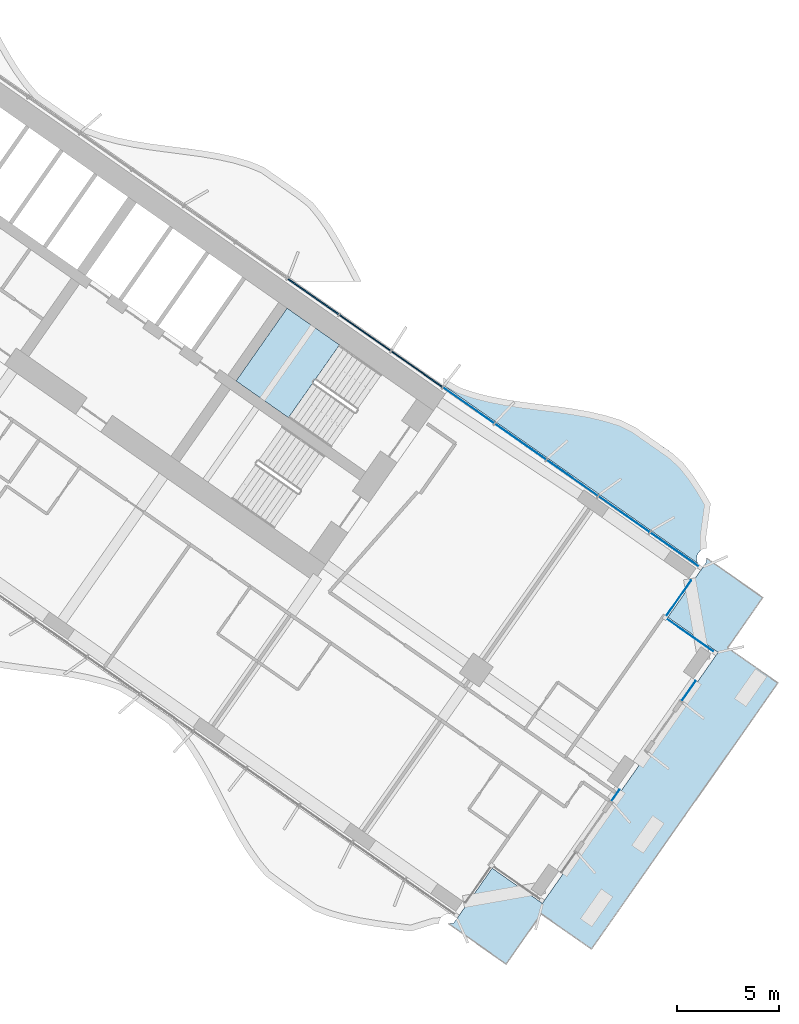
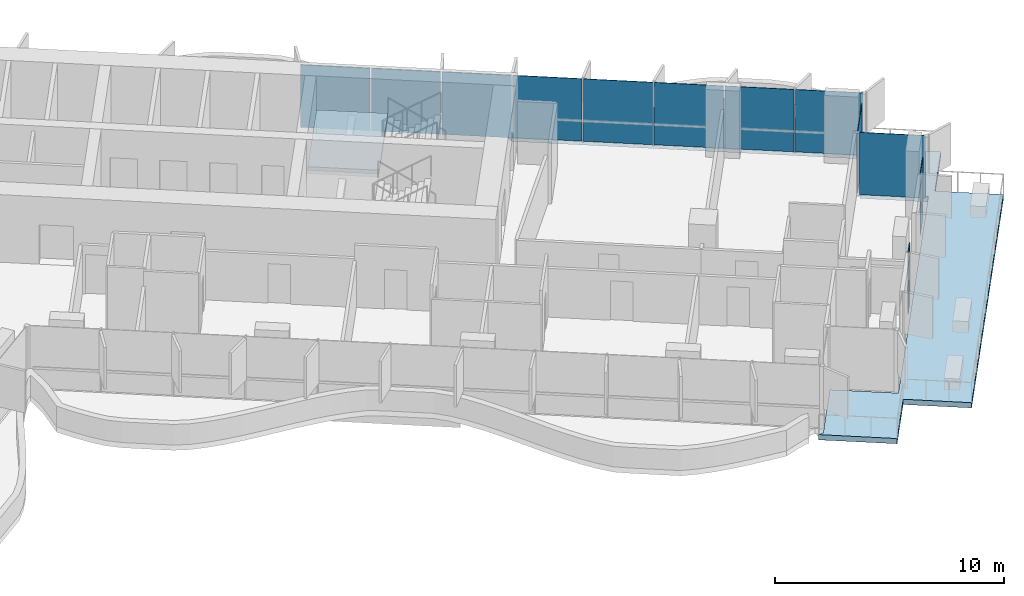
# One storey, part 12 of 25: 12 plates, 3 slabs, 4 elements without a shape of their own.
"""IFC4 building model written with IfcOpenShell, lengths in metres."""

from ifc_helpers import new_model, si_unit, direction, frame, origin, origin_2d, place, context, subcontext, project, spatial, polyline, rectangle, outline, extrude, material, layer, layer_set, type_object, element, aggregate, save


model = new_model("IFC4")

# Units and contexts
model_context = context("Model", 3, precision=1e-05, world=origin(), true_north=direction((0.0, 1.0)))
body_context = subcontext(model_context, "Body", "Model", "MODEL_VIEW")
ifc_project = project(units=[si_unit("LENGTHUNIT", "METRE"), si_unit("AREAUNIT", "SQUARE_METRE"), si_unit("VOLUMEUNIT", "CUBIC_METRE"), si_unit("PLANEANGLEUNIT", "RADIAN"), si_unit("MASSUNIT", "GRAM", prefix="KILO")], contexts=[model_context])

# Site, building, storey
site_placement = place(None, origin())
site = spatial("IfcSite", under=ifc_project, at=site_placement, CompositionType="ELEMENT")
building_placement = place(site_placement, origin())
building = spatial("IfcBuilding", under=site, at=building_placement, Name="Tel Ilan Convention Tower", CompositionType="ELEMENT")
storey_placement = place(building_placement, frame((0.0, 0.0, 76.10009765625)))
storey = spatial("IfcBuildingStorey", under=building, at=storey_placement, Name="L14", CompositionType="ELEMENT", Elevation=76.10009765625)

# Curtain wall, plate
ifc_material_1 = material(Name="Aluminium, bronze anodised", Category="aluminium")
curtain_wall_type_1 = type_object("IfcCurtainWallType", Name="CW1 UNITISED CURTAIN WALL, HOTEL TINTED GLASS", PredefinedType="NOTDEFINED", material=ifc_material_1)
curtain_wall_1_placement = place(storey_placement, origin())
curtain_wall_1 = element("IfcCurtainWall", 1, at=curtain_wall_1_placement, inside=storey, type_object=curtain_wall_type_1, Name="Curtain wall CW1-14.02", PredefinedType="NOTDEFINED")
ifc_material_2 = material(Name="Glass, bronze tinted, two-ply unitised", Category="glass")
ifc_layer_1 = layer(ifc_material_2, 0.028076171875)
ifc_layer_set_1 = layer_set([ifc_layer_1], Name="CW HOTEL GLASS PANEL 28")
plate_type_1 = type_object("IfcPlateType", Name="CW HOTEL GLASS PANEL 28", PredefinedType="CURTAIN_PANEL", material=ifc_layer_set_1)
plate_1_placement = place(storey_placement, frame((36.299560546875, -26.7880859375, 0.0), z_axis=(0.0, 0.0, 1.0), x_axis=(0.573576436351, 0.819152044289, 0.0)))
plate_1 = element("IfcPlate", 2, at=plate_1_placement, type_object=plate_type_1, Name="Glass panel", PredefinedType="CURTAIN_PANEL", context=body_context, shape_type="SweptSolid", body=[
    extrude(rectangle(XDim=0.694091796875, YDim=0.028076171875, at=origin_2d()), origin(), (0.0, 0.0, 1.0), 3.320068359375),
])
aggregate(curtain_wall_1, [plate_1])

# Curtain wall, plates
curtain_wall_2_placement = place(storey_placement, origin())
curtain_wall_2 = element("IfcCurtainWall", 3, at=curtain_wall_2_placement, inside=storey, type_object=curtain_wall_type_1, Name="Curtain wall CW1-14.04", PredefinedType="NOTDEFINED")
plate_2_placement = place(storey_placement, frame((39.884521484375, -21.66845703125, 0.0), z_axis=(0.0, 0.0, 1.0), x_axis=(0.573576436351, 0.819152044289, 0.0)))
plate_2 = element("IfcPlate", 4, at=plate_2_placement, type_object=plate_type_1, Name="Glass panel", PredefinedType="CURTAIN_PANEL", context=body_context, shape_type="SweptSolid", body=[
    extrude(rectangle(XDim=1.194091796875, YDim=0.028076171875, at=origin_2d()), origin(), (0.0, 0.0, 1.0), 3.320068359375),
])
plate_3_placement = place(storey_placement, frame((39.990966796875, -18.96826171875, 0.0), z_axis=(0.0, 0.0, 1.0), x_axis=(-0.819152044289, 0.573576436351, 0.0)))
plate_3 = element("IfcPlate", 5, at=plate_3_placement, type_object=plate_type_1, Name="Glass panel", PredefinedType="CURTAIN_PANEL", context=body_context, shape_type="SweptSolid", body=[
    extrude(rectangle(XDim=2.875, YDim=0.028076171875, at=origin_2d()), origin(), (0.0, 0.0, 1.0), 3.320068359375),
])
plate_4_placement = place(storey_placement, frame((39.3974609375, -17.133544921875, 0.0), z_axis=(0.0, 0.0, 1.0), x_axis=(0.573576436351, 0.819152044289, 0.0)))
plate_4 = element("IfcPlate", 6, at=plate_4_placement, type_object=plate_type_1, Name="Glass panel", PredefinedType="CURTAIN_PANEL", context=body_context, shape_type="SweptSolid", body=[
    extrude(rectangle(XDim=2.123046875, YDim=0.028076171875, at=origin_2d()), origin(), (0.0, 0.0, 1.0), 3.320068359375),
])
plate_5_placement = place(storey_placement, frame((39.2265625, -14.7705078125, 0.0), z_axis=(0.0, 0.0, 1.0), x_axis=(-0.819152044289, 0.573576436351, 0.0)))
plate_5 = element("IfcPlate", 7, at=plate_5_placement, type_object=plate_type_1, Name="Glass panel", PredefinedType="CURTAIN_PANEL", context=body_context, shape_type="SweptSolid", body=[
    extrude(rectangle(XDim=2.943115234375, YDim=0.028076171875, at=origin_2d()), origin(), (0.0, 0.0, 1.0), 3.320068359375),
])
plate_6_placement = place(storey_placement, frame((36.72802734375, -13.021240234375, 0.0), z_axis=(0.0, 0.0, 1.0), x_axis=(-0.819152044289, 0.573576436351, 0.0)))
plate_6 = element("IfcPlate", 8, at=plate_6_placement, type_object=plate_type_1, Name="Glass panel", PredefinedType="CURTAIN_PANEL", context=body_context, shape_type="SweptSolid", body=[
    extrude(rectangle(XDim=3.037109375, YDim=0.028076171875, at=origin_2d()), origin(), (0.0, 0.0, 1.0), 3.320068359375),
])
plate_7_placement = place(storey_placement, frame((34.191162109375, -11.244873046875, 0.0), z_axis=(0.0, 0.0, 1.0), x_axis=(-0.819152044289, 0.573576436351, 0.0)))
plate_7 = element("IfcPlate", 9, at=plate_7_placement, type_object=plate_type_1, Name="Glass panel", PredefinedType="CURTAIN_PANEL", context=body_context, shape_type="SweptSolid", body=[
    extrude(rectangle(XDim=3.037109375, YDim=0.028076171875, at=origin_2d()), origin(), (0.0, 0.0, 1.0), 3.320068359375),
])
plate_8_placement = place(storey_placement, frame((31.654296875, -9.468505859375, 0.0), z_axis=(0.0, 0.0, 1.0), x_axis=(-0.819152044289, 0.573576436351, 0.0)))
plate_8 = element("IfcPlate", 10, at=plate_8_placement, type_object=plate_type_1, Name="Glass panel", PredefinedType="CURTAIN_PANEL", context=body_context, shape_type="SweptSolid", body=[
    extrude(rectangle(XDim=3.037109375, YDim=0.028076171875, at=origin_2d()), origin(), (0.0, 0.0, 1.0), 3.320068359375),
])
plate_9_placement = place(storey_placement, frame((29.1171875, -7.692138671875, 0.0), z_axis=(0.0, 0.0, 1.0), x_axis=(-0.819152044289, 0.573576436351, 0.0)))
plate_9 = element("IfcPlate", 11, at=plate_9_placement, type_object=plate_type_1, Name="Glass panel", PredefinedType="CURTAIN_PANEL", context=body_context, shape_type="SweptSolid", body=[
    extrude(rectangle(XDim=3.037109375, YDim=0.028076171875, at=origin_2d()), origin(), (0.0, 0.0, 1.0), 3.320068359375),
])
aggregate(curtain_wall_2, [plate_2, plate_3, plate_4, plate_5, plate_6, plate_7, plate_8, plate_9])

ifc_material_3 = material(Name="Aluminium, bronze anodised", Category="aluminium")
curtain_wall_type_2 = type_object("IfcCurtainWallType", Name="CW2 STICK CURTAIN WALL, SPANDREL PANELS", PredefinedType="NOTDEFINED", material=ifc_material_3)
curtain_wall_3_placement = place(storey_placement, origin())
curtain_wall_3 = element("IfcCurtainWall", 12, at=curtain_wall_3_placement, inside=storey, type_object=curtain_wall_type_2, Name="Curtain wall CW2-14.05", PredefinedType="NOTDEFINED")
ifc_material_4 = material(Name="Aluminium composite panel, bronze anodised", Category="aluminium")
ifc_layer_2 = layer(ifc_material_4, 0.06005859375)
ifc_layer_set_2 = layer_set([ifc_layer_2], Name="CW SPANDREL PANEL 60")
plate_type_2 = type_object("IfcPlateType", Name="CW SPANDREL PANEL 60", PredefinedType="CURTAIN_PANEL", material=ifc_layer_set_2)
plate_10_placement = place(storey_placement, frame((26.580322265625, -5.915771484375, 0.0), z_axis=(0.0, 0.0, 1.0), x_axis=(-0.819152044289, 0.573576436351, 0.0)))
plate_10 = element("IfcPlate", 13, at=plate_10_placement, type_object=plate_type_2, Name="Spandrel panel", PredefinedType="CURTAIN_PANEL", context=body_context, shape_type="SweptSolid", body=[
    extrude(rectangle(XDim=3.037109375, YDim=0.06005859375, at=origin_2d()), origin(), (0.0, 0.0, 1.0), 3.320068359375),
])
plate_11_placement = place(storey_placement, frame((24.04345703125, -4.139404296875, 0.0), z_axis=(0.0, 0.0, 1.0), x_axis=(-0.819152044289, 0.573576436351, 0.0)))
plate_11 = element("IfcPlate", 14, at=plate_11_placement, type_object=plate_type_2, Name="Spandrel panel", PredefinedType="CURTAIN_PANEL", context=body_context, shape_type="SweptSolid", body=[
    extrude(rectangle(XDim=3.037109375, YDim=0.06005859375, at=origin_2d()), origin(), (0.0, 0.0, 1.0), 3.320068359375),
])
plate_12_placement = place(storey_placement, frame((21.506591796875, -2.363037109375, 0.0), z_axis=(0.0, 0.0, 1.0), x_axis=(-0.819152044289, 0.573576436351, 0.0)))
plate_12 = element("IfcPlate", 15, at=plate_12_placement, type_object=plate_type_2, Name="Spandrel panel", PredefinedType="CURTAIN_PANEL", context=body_context, shape_type="SweptSolid", body=[
    extrude(rectangle(XDim=3.037109375, YDim=0.06005859375, at=origin_2d()), origin(), (0.0, 0.0, 1.0), 3.320068359375),
])
aggregate(curtain_wall_3, [plate_10, plate_11, plate_12])

# Stair, slab
ifc_material_5 = material(Name="Concrete C40/50", Category="concrete")
stair_type = type_object("IfcStairType", Name="Pressurised Exit Stair 20 risers 180 mm", PredefinedType="HALF_TURN_STAIR", material=ifc_material_5)
stair_placement = place(storey_placement, origin())
stair = element("IfcStair", 16, at=stair_placement, inside=storey, type_object=stair_type, Name="L14 Pressurised Stair S3", PredefinedType="HALF_TURN_STAIR")
ifc_material_6 = material(Name="Concrete C40/50", Category="concrete")
ifc_layer_3 = layer(ifc_material_6, 0.199951171875)
ifc_layer_set_3 = layer_set([ifc_layer_3], Name="Concrete Stair Landing 200 mm C40/50")
slab_type_1 = type_object("IfcSlabType", Name="Concrete Stair Landing 200 mm", PredefinedType="LANDING", material=ifc_layer_set_3)
slab_1_placement = place(storey_placement, frame((0.0, 0.0, 1.599853515625)))
slab_1 = element("IfcSlab", 17, at=slab_1_placement, type_object=slab_type_1, Name="S3 landing 1", PredefinedType="LANDING", context=body_context, shape_type="SweptSolid", body=[
    extrude(outline(polyline([(22.791015625, -4.727294921875), (20.226318359375, -2.931640625), (17.7314453125, -6.494873046875), (20.2958984375, -8.29052734375), (22.791015625, -4.727294921875)])), origin(), (0.0, 0.0, 1.0), 0.199951171875),
])
aggregate(stair, [slab_1])

# Slabs
ifc_material_7 = material(Name="Concrete C40/50", Category="concrete")
ifc_layer_4 = layer(ifc_material_7, 0.280029296875)
ifc_layer_set_4 = layer_set([ifc_layer_4], Name="Edge Ledge Slab 280 mm C40/50")
slab_type_2 = type_object("IfcSlabType", Name="Edge Ledge Slab 280 mm C40/50", PredefinedType="FLOOR", material=ifc_layer_set_4)
slab_2_placement = place(storey_placement, frame((0.0, 0.0, -0.280029296875)))
element("IfcSlab", 18, at=slab_2_placement, inside=storey, type_object=slab_type_2, Name="L14 edge ledge 3", PredefinedType="FLOOR", context=body_context, shape_type="SweptSolid", body=[
    extrude(outline(polyline([(32.6220703125, -7.64306640625), (33.450927734375, -7.748779296875), (34.27099609375, -7.86669921875), (35.072998046875, -8.0107421875), (35.84814453125, -8.193115234375), (36.5888671875, -8.4248046875), (37.260498046875, -8.755126953125), (39.077880859375, -10.027587890625), (39.63232421875, -10.525390625), (40.108154296875, -11.13525390625), (40.548583984375, -11.795654296875), (40.96044921875, -12.496826171875), (40.743408203125, -14.096435546875), (40.75244140625, -14.688232421875), (40.7421875, -14.688720703125), (40.693359375, -14.694580078125), (40.6455078125, -14.70556640625), (40.59912109375, -14.72119140625), (40.55419921875, -14.7412109375), (40.511474609375, -14.765380859375), (40.471435546875, -14.793701171875), (40.434326171875, -14.825927734375), (40.400634765625, -14.861572265625), (40.37060546875, -14.900390625), (40.344482421875, -14.94189453125), (40.322509765625, -14.985595703125), (40.304931640625, -15.031494140625), (40.2919921875, -15.078857421875), (40.28369140625, -15.127197265625), (40.2802734375, -15.17626953125), (40.28173828125, -15.225341796875), (40.287841796875, -15.27392578125), (40.298583984375, -15.32177734375), (40.314208984375, -15.368408203125), (40.34130859375, -15.42919921875), (27.875, -6.7001953125), (27.875, -6.333740234375), (28.040283203125, -6.44970703125), (28.68408203125, -6.820068359375), (29.414794921875, -7.0654296875), (30.181884765625, -7.259521484375), (30.97802734375, -7.412109375), (31.79443359375, -7.535400390625), (32.6220703125, -7.64306640625)])), origin(), (0.0, 0.0, 1.0), 0.280029296875),
])
ifc_material_8 = material(Name="Concrete C40/50", Category="concrete")
ifc_layer_5 = layer(ifc_material_8, 0.280029296875)
ifc_layer_set_5 = layer_set([ifc_layer_5], Name="Terrace Deck Slab 280 mm C40/50")
slab_type_3 = type_object("IfcSlabType", Name="Terrace Deck Slab 280 mm C40/50", PredefinedType="FLOOR", material=ifc_layer_set_5)
slab_3_placement = place(storey_placement, frame((0.0, 0.0, -0.280029296875)))
element("IfcSlab", 19, at=slab_3_placement, inside=storey, type_object=slab_type_3, Name="L14 terrace deck 1", PredefinedType="FLOOR", context=body_context, shape_type="SweptSolid", body=[
    extrude(outline(polyline([(43.510986328125, -17.099365234375), (41.790283203125, -19.556884765625), (44.247802734375, -21.277587890625), (35.1279296875, -34.302001953125), (32.67041015625, -32.581298828125), (30.94970703125, -35.038818359375), (28.122802734375, -33.059326171875), (28.37353515625, -33.0517578125), (30.266357421875, -30.3486328125), (32.723876953125, -32.0693359375), (41.327392578125, -19.781982421875), (38.8701171875, -18.061279296875), (40.7626953125, -15.358154296875), (40.760009765625, -15.173095703125), (43.510986328125, -17.099365234375)])), origin(), (0.0, 0.0, 1.0), 0.280029296875),
])

save(model, "model.ifc")
